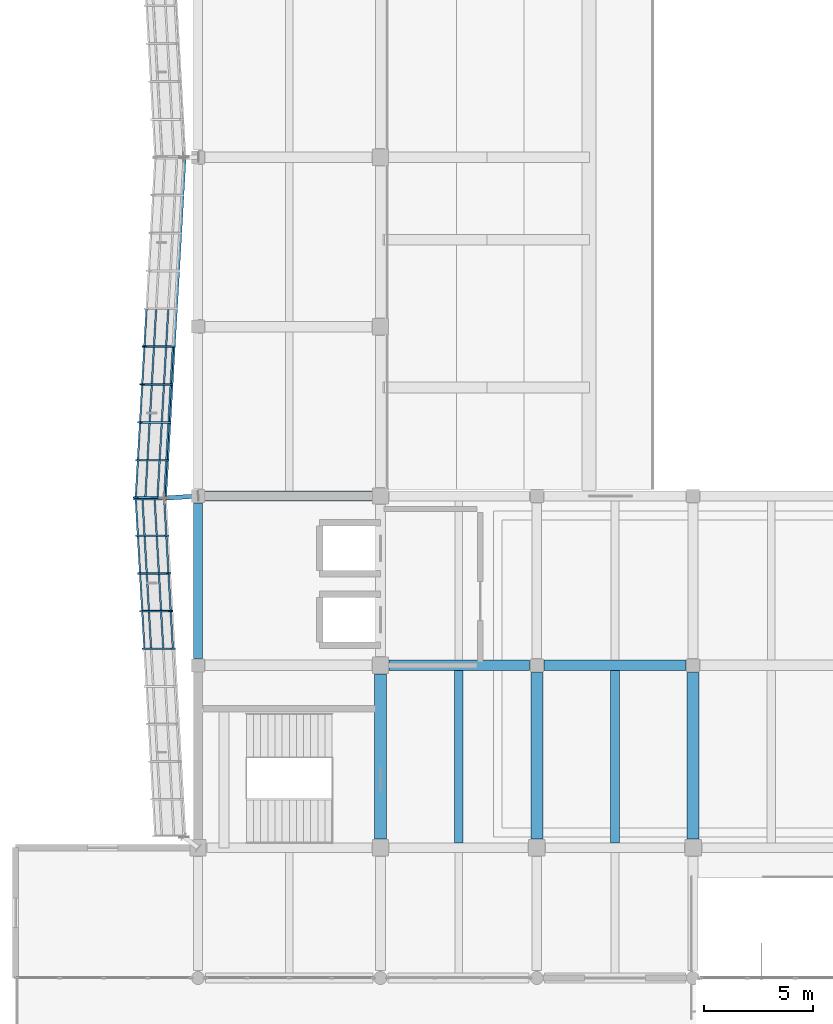
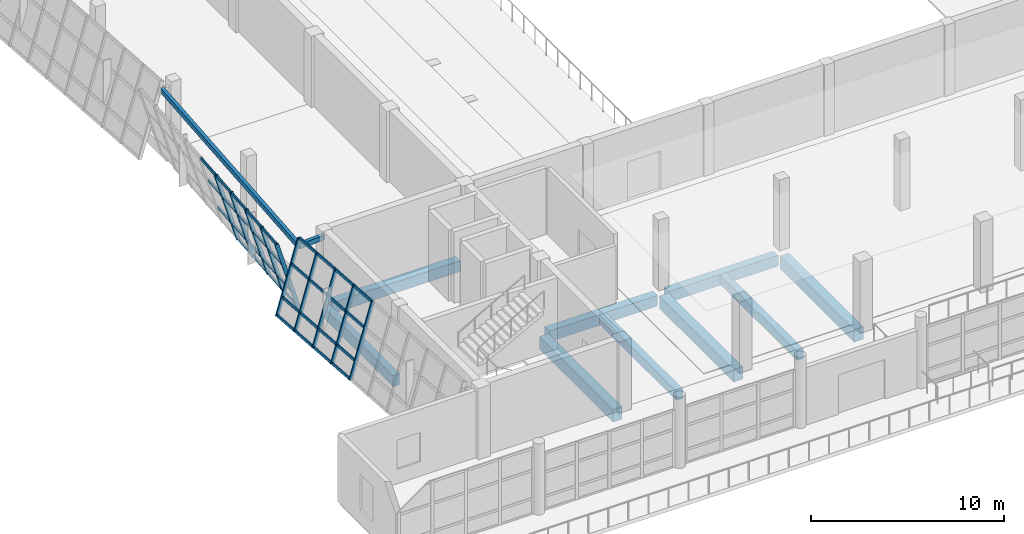
# One storey, part 7 of 71: 45 members, 11 beams, 2 elements without a shape of their own.
"""IFC4 building model written with IfcOpenShell, lengths in metres."""

from ifc_helpers import new_model, si_unit, direction, frame, origin, origin_2d, place, context, subcontext, project, spatial, rectangle, hollow_rectangle, extrude, material, material_profile, profile_set, type_object, element, aggregate, save


model = new_model("IFC4")

# Units and contexts
model_context = context("Model", 3, precision=1e-05, world=origin(), true_north=direction((0.0, 1.0)))
body_context = subcontext(model_context, "Body", "Model", "MODEL_VIEW")
ifc_project = project(units=[si_unit("LENGTHUNIT", "METRE"), si_unit("AREAUNIT", "SQUARE_METRE"), si_unit("VOLUMEUNIT", "CUBIC_METRE"), si_unit("PLANEANGLEUNIT", "RADIAN"), si_unit("MASSUNIT", "GRAM", prefix="KILO")], contexts=[model_context])

# Site, building, storey
site_placement = place(None, origin())
site = spatial("IfcSite", under=ifc_project, at=site_placement, CompositionType="ELEMENT")
building_placement = place(site_placement, origin())
building = spatial("IfcBuilding", under=site, at=building_placement, Name="Pellamere Symphony Hall", CompositionType="ELEMENT")
storey_placement = place(building_placement, frame((0.0, 0.0, 15.0)))
storey = spatial("IfcBuildingStorey", under=building, at=storey_placement, Name="L03", CompositionType="ELEMENT", Elevation=15.0)

# Curtain wall, members
ifc_material_1 = material(Name="Thermally Broken Anodised Aluminium 6063-T6 Curtain Wall", Category="aluminium")
curtain_wall_type = type_object("IfcCurtainWallType", Name="Curtain Wall CW-01 (Tilted Faceted Crystal Low-Iron Curtain Wall)", PredefinedType="NOTDEFINED", material=ifc_material_1)
curtain_wall_1_placement = place(storey_placement, origin())
curtain_wall_1 = element("IfcCurtainWall", 1, at=curtain_wall_1_placement, inside=storey, type_object=curtain_wall_type, Name="Crystal Faceted Curtain Wall CW-CR17 (L03)", PredefinedType="NOTDEFINED")
ifc_material_2 = material(Name="Anodised Architectural Aluminium 6063-T6", Category="aluminium")
ifc_material_profile_1 = material_profile(ifc_material_2, hollow_rectangle(XDim=0.074951171875, YDim=0.219970703125, WallThickness=0.0048828125, at=origin_2d()), Name="ALU-M75X220X5")
ifc_profile_set_1 = profile_set([ifc_material_profile_1], Name="Anodised Architectural Aluminium 6063-T6")
member_type_1 = type_object("IfcMemberType", Name="Curtain Wall Mullion ML-01 ALU-M75X220X5", PredefinedType="MULLION", material=ifc_profile_set_1)
member_1_placement = place(storey_placement, frame((49.25, 53.077880859375, 0.0), z_axis=(-0.284024567884, 0.0, 0.95881700279), x_axis=(-0.054873944304, -0.99836096977, -0.016254976991)))
member_1 = element("IfcMember", 2, at=member_1_placement, type_object=member_type_1, Name="CW1-050 crystal mullion 6", PredefinedType="MULLION", context=body_context, shape_type="SweptSolid", body=[
    extrude(hollow_rectangle(XDim=0.074951171875, YDim=0.219970703125, WallThickness=0.0048828125, at=origin_2d()), origin(), (0.0, 0.0, 1.0), 4.693359375),
])
member_2_placement = place(storey_placement, frame((49.14990234375, 51.333251953125, 0.0), z_axis=(-0.284024567884, 0.0, 0.95881700279), x_axis=(-0.054873944304, -0.99836096977, -0.016254976991)))
member_2 = element("IfcMember", 3, at=member_2_placement, type_object=member_type_1, Name="CW1-050 crystal mullion 7", PredefinedType="MULLION", context=body_context, shape_type="SweptSolid", body=[
    extrude(hollow_rectangle(XDim=0.074951171875, YDim=0.219970703125, WallThickness=0.0048828125, at=origin_2d()), origin(), (0.0, 0.0, 1.0), 4.693359375),
])
member_3_placement = place(storey_placement, frame((49.050048828125, 49.5888671875, 0.0), z_axis=(-0.284024567884, 0.0, 0.95881700279), x_axis=(-0.054873944304, -0.99836096977, -0.016254976991)))
member_3 = element("IfcMember", 4, at=member_3_placement, type_object=member_type_1, Name="CW1-050 crystal mullion 8", PredefinedType="MULLION", context=body_context, shape_type="SweptSolid", body=[
    extrude(hollow_rectangle(XDim=0.074951171875, YDim=0.219970703125, WallThickness=0.0048828125, at=origin_2d()), origin(), (0.0, 0.0, 1.0), 4.693359375),
])
member_4_placement = place(storey_placement, frame((48.949951171875, 47.844482421875, 0.0), z_axis=(-0.284024567884, 0.0, 0.95881700279), x_axis=(-0.054873944304, -0.99836096977, -0.016254976991)))
member_4 = element("IfcMember", 5, at=member_4_placement, type_object=member_type_1, Name="CW1-050 crystal mullion 9", PredefinedType="MULLION", context=body_context, shape_type="SweptSolid", body=[
    extrude(hollow_rectangle(XDim=0.074951171875, YDim=0.219970703125, WallThickness=0.0048828125, at=origin_2d()), origin(), (0.0, 0.0, 1.0), 4.693359375),
])
member_5_placement = place(storey_placement, frame((48.85205078125, 46.137451171875, 0.0), z_axis=(-0.284024567884, 0.0, 0.95881700279), x_axis=(-0.054873944304, -0.99836096977, -0.016254976991)))
member_5 = element("IfcMember", 6, at=member_5_placement, type_object=member_type_1, Name="CW1-050 crystal mullion 10", PredefinedType="MULLION", context=body_context, shape_type="SweptSolid", body=[
    extrude(hollow_rectangle(XDim=0.074951171875, YDim=0.219970703125, WallThickness=0.0048828125, at=origin_2d()), origin(), (0.0, 0.0, 1.0), 4.693359375),
])

curtain_wall_2_placement = place(storey_placement, origin())
curtain_wall_2 = element("IfcCurtainWall", 7, at=curtain_wall_2_placement, inside=storey, type_object=curtain_wall_type, Name="Crystal Faceted Curtain Wall CW-CR18 (L03)", PredefinedType="NOTDEFINED")
member_6_placement = place(storey_placement, frame((47.51904296875, 46.0625, 0.0), z_axis=(0.284024567884, 0.0, 0.95881700279), x_axis=(-0.055224537145, 0.998339941676, 0.01635883099)))
member_6 = element("IfcMember", 8, at=member_6_placement, type_object=member_type_1, Name="CW1-055 crystal mullion 1", PredefinedType="MULLION", context=body_context, shape_type="SweptSolid", body=[
    extrude(hollow_rectangle(XDim=0.074951171875, YDim=0.219970703125, WallThickness=0.0048828125, at=origin_2d()), origin(), (0.0, 0.0, 1.0), 4.693359375),
])
member_7_placement = place(storey_placement, frame((47.616943359375, 44.36669921875, 0.0), z_axis=(0.284024567884, 0.0, 0.95881700279), x_axis=(-0.055224537145, 0.998339941676, 0.01635883099)))
member_7 = element("IfcMember", 9, at=member_7_placement, type_object=member_type_1, Name="CW1-055 crystal mullion 2", PredefinedType="MULLION", context=body_context, shape_type="SweptSolid", body=[
    extrude(hollow_rectangle(XDim=0.074951171875, YDim=0.219970703125, WallThickness=0.0048828125, at=origin_2d()), origin(), (0.0, 0.0, 1.0), 4.693359375),
])
member_8_placement = place(storey_placement, frame((47.717041015625, 42.63330078125, 0.0), z_axis=(0.284024567884, 0.0, 0.95881700279), x_axis=(-0.055224537145, 0.998339941676, 0.01635883099)))
member_8 = element("IfcMember", 10, at=member_8_placement, type_object=member_type_1, Name="CW1-055 crystal mullion 3", PredefinedType="MULLION", context=body_context, shape_type="SweptSolid", body=[
    extrude(hollow_rectangle(XDim=0.074951171875, YDim=0.219970703125, WallThickness=0.0048828125, at=origin_2d()), origin(), (0.0, 0.0, 1.0), 4.693359375),
])
member_9_placement = place(storey_placement, frame((47.81689453125, 40.89990234375, 0.0), z_axis=(0.284024567884, 0.0, 0.95881700279), x_axis=(-0.055224537145, 0.998339941676, 0.01635883099)))
member_9 = element("IfcMember", 11, at=member_9_placement, type_object=member_type_1, Name="CW1-055 crystal mullion 4", PredefinedType="MULLION", context=body_context, shape_type="SweptSolid", body=[
    extrude(hollow_rectangle(XDim=0.074951171875, YDim=0.219970703125, WallThickness=0.0048828125, at=origin_2d()), origin(), (0.0, 0.0, 1.0), 4.693359375),
])
member_10_placement = place(storey_placement, frame((47.9169921875, 39.166748046875, 0.0), z_axis=(0.284024567884, 0.0, 0.95881700279), x_axis=(-0.055224537145, 0.998339941676, 0.01635883099)))
member_10 = element("IfcMember", 12, at=member_10_placement, type_object=member_type_1, Name="CW1-055 crystal mullion 5", PredefinedType="MULLION", context=body_context, shape_type="SweptSolid", body=[
    extrude(hollow_rectangle(XDim=0.074951171875, YDim=0.219970703125, WallThickness=0.0048828125, at=origin_2d()), origin(), (0.0, 0.0, 1.0), 4.693359375),
])

# Member
ifc_material_profile_2 = material_profile(ifc_material_2, hollow_rectangle(XDim=0.074951171875, YDim=0.179931640625, WallThickness=0.0048828125, at=origin_2d()), Name="ALU-T75X180X5")
ifc_profile_set_2 = profile_set([ifc_material_profile_2], Name="Anodised Architectural Aluminium 6063-T6")
member_type_2 = type_object("IfcMemberType", Name="Curtain Wall Transom TR-01 ALU-T75X180X5", PredefinedType="USERDEFINED", material=ifc_profile_set_2)
member_11_placement = place(storey_placement, frame((49.02783203125, 54.78466796875, 1.080078125), z_axis=(-0.057232737422, -0.998360863499, 0.0), x_axis=(0.998360863499, -0.057232737422, 0.0)))
member_11 = element("IfcMember", 13, at=member_11_placement, type_object=member_type_2, Name="CW1-050 crystal transom 5.2", ObjectType="TRANSOM", PredefinedType="USERDEFINED", context=body_context, shape_type="SweptSolid", body=[
    extrude(hollow_rectangle(XDim=0.074951171875, YDim=0.179931640625, WallThickness=0.0048828125, at=origin_2d()), origin(), (0.0, 0.0, 1.0), 1.672119140625),
])

member_12_placement = place(storey_placement, frame((48.468017578125, 54.78466796875, 2.969970703125), z_axis=(-0.057232737422, -0.998360863499, 0.0), x_axis=(0.998360863499, -0.057232737422, 0.0)))
member_12 = element("IfcMember", 14, at=member_12_placement, type_object=member_type_2, Name="CW1-050 crystal transom 5.3", ObjectType="TRANSOM", PredefinedType="USERDEFINED", context=body_context, shape_type="SweptSolid", body=[
    extrude(hollow_rectangle(XDim=0.074951171875, YDim=0.179931640625, WallThickness=0.0048828125, at=origin_2d()), origin(), (0.0, 0.0, 1.0), 1.672119140625),
])

member_13_placement = place(storey_placement, frame((48.025390625, 54.78466796875, 4.464111328125), z_axis=(-0.057232737422, -0.998360863499, 0.0), x_axis=(0.998360863499, -0.057232737422, 0.0)))
member_13 = element("IfcMember", 15, at=member_13_placement, type_object=member_type_2, Name="CW1-050 crystal transom 5.4", ObjectType="TRANSOM", PredefinedType="USERDEFINED", context=body_context, shape_type="SweptSolid", body=[
    extrude(hollow_rectangle(XDim=0.074951171875, YDim=0.179931640625, WallThickness=0.0048828125, at=origin_2d()), origin(), (0.0, 0.0, 1.0), 1.672119140625),
])

member_14_placement = place(storey_placement, frame((49.2373046875, 53.040283203125, 0.035888671875), z_axis=(-0.057232737422, -0.998360863499, 0.0), x_axis=(0.998360863499, -0.057232737422, 0.0)))
member_14 = element("IfcMember", 16, at=member_14_placement, type_object=member_type_2, Name="CW1-050 crystal transom 6.1", ObjectType="TRANSOM", PredefinedType="USERDEFINED", context=body_context, shape_type="SweptSolid", body=[
    extrude(hollow_rectangle(XDim=0.074951171875, YDim=0.179931640625, WallThickness=0.0048828125, at=origin_2d()), origin(), (0.0, 0.0, 1.0), 1.672119140625),
])

member_15_placement = place(storey_placement, frame((48.927978515625, 53.040283203125, 1.080078125), z_axis=(-0.057232737422, -0.998360863499, 0.0), x_axis=(0.998360863499, -0.057232737422, 0.0)))
member_15 = element("IfcMember", 17, at=member_15_placement, type_object=member_type_2, Name="CW1-050 crystal transom 6.2", ObjectType="TRANSOM", PredefinedType="USERDEFINED", context=body_context, shape_type="SweptSolid", body=[
    extrude(hollow_rectangle(XDim=0.074951171875, YDim=0.179931640625, WallThickness=0.0048828125, at=origin_2d()), origin(), (0.0, 0.0, 1.0), 1.672119140625),
])

member_16_placement = place(storey_placement, frame((48.3681640625, 53.040283203125, 2.969970703125), z_axis=(-0.057232737422, -0.998360863499, 0.0), x_axis=(0.998360863499, -0.057232737422, 0.0)))
member_16 = element("IfcMember", 18, at=member_16_placement, type_object=member_type_2, Name="CW1-050 crystal transom 6.3", ObjectType="TRANSOM", PredefinedType="USERDEFINED", context=body_context, shape_type="SweptSolid", body=[
    extrude(hollow_rectangle(XDim=0.074951171875, YDim=0.179931640625, WallThickness=0.0048828125, at=origin_2d()), origin(), (0.0, 0.0, 1.0), 1.672119140625),
])

member_17_placement = place(storey_placement, frame((47.925537109375, 53.040283203125, 4.464111328125), z_axis=(-0.057232737422, -0.998360863499, 0.0), x_axis=(0.998360863499, -0.057232737422, 0.0)))
member_17 = element("IfcMember", 19, at=member_17_placement, type_object=member_type_2, Name="CW1-050 crystal transom 6.4", ObjectType="TRANSOM", PredefinedType="USERDEFINED", context=body_context, shape_type="SweptSolid", body=[
    extrude(hollow_rectangle(XDim=0.074951171875, YDim=0.179931640625, WallThickness=0.0048828125, at=origin_2d()), origin(), (0.0, 0.0, 1.0), 1.672119140625),
])

member_18_placement = place(storey_placement, frame((49.13720703125, 51.2958984375, 0.035888671875), z_axis=(-0.057224396245, -0.998361341637, 0.0), x_axis=(0.998361341637, -0.057224396245, 0.0)))
member_18 = element("IfcMember", 20, at=member_18_placement, type_object=member_type_2, Name="CW1-050 crystal transom 7.1", ObjectType="TRANSOM", PredefinedType="USERDEFINED", context=body_context, shape_type="SweptSolid", body=[
    extrude(hollow_rectangle(XDim=0.074951171875, YDim=0.179931640625, WallThickness=0.0048828125, at=origin_2d()), origin(), (0.0, 0.0, 1.0), 1.67236328125),
])

member_19_placement = place(storey_placement, frame((48.827880859375, 51.2958984375, 1.080078125), z_axis=(-0.057224396245, -0.998361341637, 0.0), x_axis=(0.998361341637, -0.057224396245, 0.0)))
member_19 = element("IfcMember", 21, at=member_19_placement, type_object=member_type_2, Name="CW1-050 crystal transom 7.2", ObjectType="TRANSOM", PredefinedType="USERDEFINED", context=body_context, shape_type="SweptSolid", body=[
    extrude(hollow_rectangle(XDim=0.074951171875, YDim=0.179931640625, WallThickness=0.0048828125, at=origin_2d()), origin(), (0.0, 0.0, 1.0), 1.67236328125),
])

member_20_placement = place(storey_placement, frame((48.26806640625, 51.2958984375, 2.969970703125), z_axis=(-0.057224396245, -0.998361341637, 0.0), x_axis=(0.998361341637, -0.057224396245, 0.0)))
member_20 = element("IfcMember", 22, at=member_20_placement, type_object=member_type_2, Name="CW1-050 crystal transom 7.3", ObjectType="TRANSOM", PredefinedType="USERDEFINED", context=body_context, shape_type="SweptSolid", body=[
    extrude(hollow_rectangle(XDim=0.074951171875, YDim=0.179931640625, WallThickness=0.0048828125, at=origin_2d()), origin(), (0.0, 0.0, 1.0), 1.67236328125),
])

member_21_placement = place(storey_placement, frame((47.825439453125, 51.2958984375, 4.464111328125), z_axis=(-0.057224396245, -0.998361341637, 0.0), x_axis=(0.998361341637, -0.057224396245, 0.0)))
member_21 = element("IfcMember", 23, at=member_21_placement, type_object=member_type_2, Name="CW1-050 crystal transom 7.4", ObjectType="TRANSOM", PredefinedType="USERDEFINED", context=body_context, shape_type="SweptSolid", body=[
    extrude(hollow_rectangle(XDim=0.074951171875, YDim=0.179931640625, WallThickness=0.0048828125, at=origin_2d()), origin(), (0.0, 0.0, 1.0), 1.67236328125),
])

member_22_placement = place(storey_placement, frame((49.037109375, 49.551513671875, 0.035888671875), z_axis=(-0.057224396245, -0.998361341637, 0.0), x_axis=(0.998361341637, -0.057224396245, 0.0)))
member_22 = element("IfcMember", 24, at=member_22_placement, type_object=member_type_2, Name="CW1-050 crystal transom 8.1", ObjectType="TRANSOM", PredefinedType="USERDEFINED", context=body_context, shape_type="SweptSolid", body=[
    extrude(hollow_rectangle(XDim=0.074951171875, YDim=0.179931640625, WallThickness=0.0048828125, at=origin_2d()), origin(), (0.0, 0.0, 1.0), 1.67236328125),
])

member_23_placement = place(storey_placement, frame((48.72802734375, 49.551513671875, 1.080078125), z_axis=(-0.057224396245, -0.998361341637, 0.0), x_axis=(0.998361341637, -0.057224396245, 0.0)))
member_23 = element("IfcMember", 25, at=member_23_placement, type_object=member_type_2, Name="CW1-050 crystal transom 8.2", ObjectType="TRANSOM", PredefinedType="USERDEFINED", context=body_context, shape_type="SweptSolid", body=[
    extrude(hollow_rectangle(XDim=0.074951171875, YDim=0.179931640625, WallThickness=0.0048828125, at=origin_2d()), origin(), (0.0, 0.0, 1.0), 1.67236328125),
])

member_24_placement = place(storey_placement, frame((48.16796875, 49.551513671875, 2.969970703125), z_axis=(-0.057224396245, -0.998361341637, 0.0), x_axis=(0.998361341637, -0.057224396245, 0.0)))
member_24 = element("IfcMember", 26, at=member_24_placement, type_object=member_type_2, Name="CW1-050 crystal transom 8.3", ObjectType="TRANSOM", PredefinedType="USERDEFINED", context=body_context, shape_type="SweptSolid", body=[
    extrude(hollow_rectangle(XDim=0.074951171875, YDim=0.179931640625, WallThickness=0.0048828125, at=origin_2d()), origin(), (0.0, 0.0, 1.0), 1.67236328125),
])

member_25_placement = place(storey_placement, frame((47.7255859375, 49.551513671875, 4.464111328125), z_axis=(-0.057224396245, -0.998361341637, 0.0), x_axis=(0.998361341637, -0.057224396245, 0.0)))
member_25 = element("IfcMember", 27, at=member_25_placement, type_object=member_type_2, Name="CW1-050 crystal transom 8.4", ObjectType="TRANSOM", PredefinedType="USERDEFINED", context=body_context, shape_type="SweptSolid", body=[
    extrude(hollow_rectangle(XDim=0.074951171875, YDim=0.179931640625, WallThickness=0.0048828125, at=origin_2d()), origin(), (0.0, 0.0, 1.0), 1.67236328125),
])

member_26_placement = place(storey_placement, frame((48.937255859375, 47.806884765625, 0.035888671875), z_axis=(-0.057198647566, -0.998362817175, 0.0), x_axis=(0.998362817175, -0.057198647566, 0.0)))
member_26 = element("IfcMember", 28, at=member_26_placement, type_object=member_type_2, Name="CW1-050 crystal transom 9.1", ObjectType="TRANSOM", PredefinedType="USERDEFINED", context=body_context, shape_type="SweptSolid", body=[
    extrude(hollow_rectangle(XDim=0.074951171875, YDim=0.179931640625, WallThickness=0.0048828125, at=origin_2d()), origin(), (0.0, 0.0, 1.0), 1.634765625),
])

member_27_placement = place(storey_placement, frame((48.6279296875, 47.806884765625, 1.080078125), z_axis=(-0.057198647566, -0.998362817175, 0.0), x_axis=(0.998362817175, -0.057198647566, 0.0)))
member_27 = element("IfcMember", 29, at=member_27_placement, type_object=member_type_2, Name="CW1-050 crystal transom 9.2", ObjectType="TRANSOM", PredefinedType="USERDEFINED", context=body_context, shape_type="SweptSolid", body=[
    extrude(hollow_rectangle(XDim=0.074951171875, YDim=0.179931640625, WallThickness=0.0048828125, at=origin_2d()), origin(), (0.0, 0.0, 1.0), 1.634765625),
])

member_28_placement = place(storey_placement, frame((48.068115234375, 47.806884765625, 2.969970703125), z_axis=(-0.057198647566, -0.998362817175, 0.0), x_axis=(0.998362817175, -0.057198647566, 0.0)))
member_28 = element("IfcMember", 30, at=member_28_placement, type_object=member_type_2, Name="CW1-050 crystal transom 9.3", ObjectType="TRANSOM", PredefinedType="USERDEFINED", context=body_context, shape_type="SweptSolid", body=[
    extrude(hollow_rectangle(XDim=0.074951171875, YDim=0.179931640625, WallThickness=0.0048828125, at=origin_2d()), origin(), (0.0, 0.0, 1.0), 1.634765625),
])

member_29_placement = place(storey_placement, frame((47.62548828125, 47.806884765625, 4.464111328125), z_axis=(-0.057198647566, -0.998362817175, 0.0), x_axis=(0.998362817175, -0.057198647566, 0.0)))
member_29 = element("IfcMember", 31, at=member_29_placement, type_object=member_type_2, Name="CW1-050 crystal transom 9.4", ObjectType="TRANSOM", PredefinedType="USERDEFINED", context=body_context, shape_type="SweptSolid", body=[
    extrude(hollow_rectangle(XDim=0.074951171875, YDim=0.179931640625, WallThickness=0.0048828125, at=origin_2d()), origin(), (0.0, 0.0, 1.0), 1.634765625),
])

aggregate(curtain_wall_1, [member_1, member_2, member_3, member_4, member_5, member_11, member_12, member_13, member_14, member_15, member_16, member_17, member_18, member_19, member_20, member_21, member_22, member_23, member_24, member_25, member_26, member_27, member_28, member_29])

member_30_placement = place(storey_placement, frame((47.531982421875, 46.025146484375, 0.035888671875), z_axis=(0.057585007883, -0.99834060664, 0.0), x_axis=(0.99834060664, 0.057585007883, 0.0)))
member_30 = element("IfcMember", 32, at=member_30_placement, type_object=member_type_2, Name="CW1-055 crystal transom 1.1", ObjectType="TRANSOM", PredefinedType="USERDEFINED", context=body_context, shape_type="SweptSolid", body=[
    extrude(hollow_rectangle(XDim=0.074951171875, YDim=0.179931640625, WallThickness=0.0048828125, at=origin_2d()), origin(), (0.0, 0.0, 1.0), 1.623779296875),
])

member_31_placement = place(storey_placement, frame((47.84130859375, 46.025146484375, 1.080078125), z_axis=(0.057585007883, -0.99834060664, 0.0), x_axis=(0.99834060664, 0.057585007883, 0.0)))
member_31 = element("IfcMember", 33, at=member_31_placement, type_object=member_type_2, Name="CW1-055 crystal transom 1.2", ObjectType="TRANSOM", PredefinedType="USERDEFINED", context=body_context, shape_type="SweptSolid", body=[
    extrude(hollow_rectangle(XDim=0.074951171875, YDim=0.179931640625, WallThickness=0.0048828125, at=origin_2d()), origin(), (0.0, 0.0, 1.0), 1.623779296875),
])

member_32_placement = place(storey_placement, frame((48.401123046875, 46.025146484375, 2.969970703125), z_axis=(0.057585007883, -0.99834060664, 0.0), x_axis=(0.99834060664, 0.057585007883, 0.0)))
member_32 = element("IfcMember", 34, at=member_32_placement, type_object=member_type_2, Name="CW1-055 crystal transom 1.3", ObjectType="TRANSOM", PredefinedType="USERDEFINED", context=body_context, shape_type="SweptSolid", body=[
    extrude(hollow_rectangle(XDim=0.074951171875, YDim=0.179931640625, WallThickness=0.0048828125, at=origin_2d()), origin(), (0.0, 0.0, 1.0), 1.623779296875),
])

member_33_placement = place(storey_placement, frame((48.84375, 46.025146484375, 4.464111328125), z_axis=(0.057585007883, -0.99834060664, 0.0), x_axis=(0.99834060664, 0.057585007883, 0.0)))
member_33 = element("IfcMember", 35, at=member_33_placement, type_object=member_type_2, Name="CW1-055 crystal transom 1.4", ObjectType="TRANSOM", PredefinedType="USERDEFINED", context=body_context, shape_type="SweptSolid", body=[
    extrude(hollow_rectangle(XDim=0.074951171875, YDim=0.179931640625, WallThickness=0.0048828125, at=origin_2d()), origin(), (0.0, 0.0, 1.0), 1.623779296875),
])

member_34_placement = place(storey_placement, frame((47.6298828125, 44.329345703125, 0.035888671875), z_axis=(0.057602168051, -0.998339616682, 0.0), x_axis=(0.998339616682, 0.057602168051, 0.0)))
member_34 = element("IfcMember", 36, at=member_34_placement, type_object=member_type_2, Name="CW1-055 crystal transom 2.1", ObjectType="TRANSOM", PredefinedType="USERDEFINED", context=body_context, shape_type="SweptSolid", body=[
    extrude(hollow_rectangle(XDim=0.074951171875, YDim=0.179931640625, WallThickness=0.0048828125, at=origin_2d()), origin(), (0.0, 0.0, 1.0), 1.661376953125),
])

member_35_placement = place(storey_placement, frame((47.93896484375, 44.329345703125, 1.080078125), z_axis=(0.057602168051, -0.998339616682, 0.0), x_axis=(0.998339616682, 0.057602168051, 0.0)))
member_35 = element("IfcMember", 37, at=member_35_placement, type_object=member_type_2, Name="CW1-055 crystal transom 2.2", ObjectType="TRANSOM", PredefinedType="USERDEFINED", context=body_context, shape_type="SweptSolid", body=[
    extrude(hollow_rectangle(XDim=0.074951171875, YDim=0.179931640625, WallThickness=0.0048828125, at=origin_2d()), origin(), (0.0, 0.0, 1.0), 1.661376953125),
])

member_36_placement = place(storey_placement, frame((48.4990234375, 44.329345703125, 2.969970703125), z_axis=(0.057602168051, -0.998339616682, 0.0), x_axis=(0.998339616682, 0.057602168051, 0.0)))
member_36 = element("IfcMember", 38, at=member_36_placement, type_object=member_type_2, Name="CW1-055 crystal transom 2.3", ObjectType="TRANSOM", PredefinedType="USERDEFINED", context=body_context, shape_type="SweptSolid", body=[
    extrude(hollow_rectangle(XDim=0.074951171875, YDim=0.179931640625, WallThickness=0.0048828125, at=origin_2d()), origin(), (0.0, 0.0, 1.0), 1.661376953125),
])

member_37_placement = place(storey_placement, frame((48.94140625, 44.329345703125, 4.464111328125), z_axis=(0.057602168051, -0.998339616682, 0.0), x_axis=(0.998339616682, 0.057602168051, 0.0)))
member_37 = element("IfcMember", 39, at=member_37_placement, type_object=member_type_2, Name="CW1-055 crystal transom 2.4", ObjectType="TRANSOM", PredefinedType="USERDEFINED", context=body_context, shape_type="SweptSolid", body=[
    extrude(hollow_rectangle(XDim=0.074951171875, YDim=0.179931640625, WallThickness=0.0048828125, at=origin_2d()), origin(), (0.0, 0.0, 1.0), 1.661376953125),
])

member_38_placement = place(storey_placement, frame((47.729736328125, 42.595947265625, 0.035888671875), z_axis=(0.057610619545, -0.998339129012, 0.0), x_axis=(0.998339129012, 0.057610619545, 0.0)))
member_38 = element("IfcMember", 40, at=member_38_placement, type_object=member_type_2, Name="CW1-055 crystal transom 3.1", ObjectType="TRANSOM", PredefinedType="USERDEFINED", context=body_context, shape_type="SweptSolid", body=[
    extrude(hollow_rectangle(XDim=0.074951171875, YDim=0.179931640625, WallThickness=0.0048828125, at=origin_2d()), origin(), (0.0, 0.0, 1.0), 1.6611328125),
])

member_39_placement = place(storey_placement, frame((48.0390625, 42.595947265625, 1.080078125), z_axis=(0.057610619545, -0.998339129012, 0.0), x_axis=(0.998339129012, 0.057610619545, 0.0)))
member_39 = element("IfcMember", 41, at=member_39_placement, type_object=member_type_2, Name="CW1-055 crystal transom 3.2", ObjectType="TRANSOM", PredefinedType="USERDEFINED", context=body_context, shape_type="SweptSolid", body=[
    extrude(hollow_rectangle(XDim=0.074951171875, YDim=0.179931640625, WallThickness=0.0048828125, at=origin_2d()), origin(), (0.0, 0.0, 1.0), 1.6611328125),
])

member_40_placement = place(storey_placement, frame((48.598876953125, 42.595947265625, 2.969970703125), z_axis=(0.057610619545, -0.998339129012, 0.0), x_axis=(0.998339129012, 0.057610619545, 0.0)))
member_40 = element("IfcMember", 42, at=member_40_placement, type_object=member_type_2, Name="CW1-055 crystal transom 3.3", ObjectType="TRANSOM", PredefinedType="USERDEFINED", context=body_context, shape_type="SweptSolid", body=[
    extrude(hollow_rectangle(XDim=0.074951171875, YDim=0.179931640625, WallThickness=0.0048828125, at=origin_2d()), origin(), (0.0, 0.0, 1.0), 1.6611328125),
])

member_41_placement = place(storey_placement, frame((49.04150390625, 42.595947265625, 4.464111328125), z_axis=(0.057610619545, -0.998339129012, 0.0), x_axis=(0.998339129012, 0.057610619545, 0.0)))
member_41 = element("IfcMember", 43, at=member_41_placement, type_object=member_type_2, Name="CW1-055 crystal transom 3.4", ObjectType="TRANSOM", PredefinedType="USERDEFINED", context=body_context, shape_type="SweptSolid", body=[
    extrude(hollow_rectangle(XDim=0.074951171875, YDim=0.179931640625, WallThickness=0.0048828125, at=origin_2d()), origin(), (0.0, 0.0, 1.0), 1.6611328125),
])

member_42_placement = place(storey_placement, frame((47.829833984375, 40.862548828125, 0.035888671875), z_axis=(0.057610619545, -0.998339129012, 0.0), x_axis=(0.998339129012, 0.057610619545, 0.0)))
member_42 = element("IfcMember", 44, at=member_42_placement, type_object=member_type_2, Name="CW1-055 crystal transom 4.1", ObjectType="TRANSOM", PredefinedType="USERDEFINED", context=body_context, shape_type="SweptSolid", body=[
    extrude(hollow_rectangle(XDim=0.074951171875, YDim=0.179931640625, WallThickness=0.0048828125, at=origin_2d()), origin(), (0.0, 0.0, 1.0), 1.6611328125),
])

member_43_placement = place(storey_placement, frame((48.13916015625, 40.862548828125, 1.080078125), z_axis=(0.057610619545, -0.998339129012, 0.0), x_axis=(0.998339129012, 0.057610619545, 0.0)))
member_43 = element("IfcMember", 45, at=member_43_placement, type_object=member_type_2, Name="CW1-055 crystal transom 4.2", ObjectType="TRANSOM", PredefinedType="USERDEFINED", context=body_context, shape_type="SweptSolid", body=[
    extrude(hollow_rectangle(XDim=0.074951171875, YDim=0.179931640625, WallThickness=0.0048828125, at=origin_2d()), origin(), (0.0, 0.0, 1.0), 1.6611328125),
])

member_44_placement = place(storey_placement, frame((48.698974609375, 40.862548828125, 2.969970703125), z_axis=(0.057610619545, -0.998339129012, 0.0), x_axis=(0.998339129012, 0.057610619545, 0.0)))
member_44 = element("IfcMember", 46, at=member_44_placement, type_object=member_type_2, Name="CW1-055 crystal transom 4.3", ObjectType="TRANSOM", PredefinedType="USERDEFINED", context=body_context, shape_type="SweptSolid", body=[
    extrude(hollow_rectangle(XDim=0.074951171875, YDim=0.179931640625, WallThickness=0.0048828125, at=origin_2d()), origin(), (0.0, 0.0, 1.0), 1.6611328125),
])

member_45_placement = place(storey_placement, frame((49.1416015625, 40.862548828125, 4.464111328125), z_axis=(0.057610619545, -0.998339129012, 0.0), x_axis=(0.998339129012, 0.057610619545, 0.0)))
member_45 = element("IfcMember", 47, at=member_45_placement, type_object=member_type_2, Name="CW1-055 crystal transom 4.4", ObjectType="TRANSOM", PredefinedType="USERDEFINED", context=body_context, shape_type="SweptSolid", body=[
    extrude(hollow_rectangle(XDim=0.074951171875, YDim=0.179931640625, WallThickness=0.0048828125, at=origin_2d()), origin(), (0.0, 0.0, 1.0), 1.6611328125),
])

aggregate(curtain_wall_2, [member_6, member_7, member_8, member_9, member_10, member_30, member_31, member_32, member_33, member_34, member_35, member_36, member_37, member_38, member_39, member_40, member_41, member_42, member_43, member_44, member_45])

# Beams
ifc_material_3 = material(Name="Concrete 40 MPa", Category="concrete")
ifc_material_profile_3 = material_profile(ifc_material_3, rectangle(XDim=0.550048828125, YDim=0.800048828125, at=origin_2d()), Name="RC 550x800")
ifc_profile_set_3 = profile_set([ifc_material_profile_3], Name="Concrete 40 MPa")
beam_type_1 = type_object("IfcBeamType", Name="RC CB-05 550x800", PredefinedType="BEAM", material=ifc_profile_set_3)
beam_1_placement = place(storey_placement, frame((58.800048828125, 30.39990234375, -0.659912109375), z_axis=(0.0, 1.0, 0.0), x_axis=(-1.0, 0.0, 0.0)))
element("IfcBeam", 48, at=beam_1_placement, inside=storey, type_object=beam_type_1, Name="Girder CB-05-Y1613 (L03)", PredefinedType="BEAM", context=body_context, shape_type="SweptSolid", body=[
    extrude(rectangle(XDim=0.550048828125, YDim=0.800048828125, at=origin_2d()), origin(), (0.0, 0.0, 1.0), 7.60009765625),
])
for number, where, z_axis, x_axis, name in (
    (49, (66.0, 30.39990234375, -0.659912109375), (0.0, 1.0, 0.0), (-1.0, 0.0, 0.0), "Girder CB-05-Y1622 (L03)"),
    (50, (73.199951171875, 30.39990234375, -0.659912109375), (0.0, 1.0, 0.0), (-1.0, 0.0, 0.0), "Girder CB-05-Y1627 (L03)"),
):
    element("IfcBeam", number, at=place(storey_placement, frame(where, z_axis=z_axis, x_axis=x_axis)), inside=storey, type_object=beam_type_1, Name=name, PredefinedType="BEAM", context=body_context, shape_type="SweptSolid", body=[
        extrude(rectangle(XDim=0.550048828125, YDim=0.800048828125, at=origin_2d()), origin(), (0.0, 0.0, 1.0), 7.675048828125),
    ])
ifc_material_profile_4 = material_profile(ifc_material_3, rectangle(XDim=0.39990234375, YDim=0.60009765625, at=origin_2d()), Name="RC 400x600")
ifc_profile_set_4 = profile_set([ifc_material_profile_4], Name="Concrete 40 MPa")
beam_type_2 = type_object("IfcBeamType", Name="RC CB-09 400x600", PredefinedType="BEAM", material=ifc_profile_set_4)
for number, where, z_axis, x_axis, name in (
    (51, (62.39990234375, 30.22509765625, -0.574951171875), (0.0, 1.0, 0.0), (-1.0, 0.0, 0.0), "Secondary Floor Beam CB-09-M0704 (L03)"),
    (52, (69.60009765625, 30.22509765625, -0.574951171875), (0.0, 1.0, 0.0), (-1.0, 0.0, 0.0), "Secondary Floor Beam CB-09-M0804 (L03)"),
):
    element("IfcBeam", number, at=place(storey_placement, frame(where, z_axis=z_axis, x_axis=x_axis)), inside=storey, type_object=beam_type_2, Name=name, PredefinedType="BEAM", context=body_context, shape_type="SweptSolid", body=[
        extrude(rectangle(XDim=0.39990234375, YDim=0.60009765625, at=origin_2d()), origin(), (0.0, 0.0, 1.0), 7.934814453125),
    ])
ifc_material_profile_5 = material_profile(ifc_material_3, rectangle(XDim=0.39990234375, YDim=0.699951171875, at=origin_2d()), Name="RC 400x700")
ifc_profile_set_5 = profile_set([ifc_material_profile_5], Name="Concrete 40 MPa")
beam_type_3 = type_object("IfcBeamType", Name="RC CB-13 400x700", PredefinedType="SPANDREL", material=ifc_profile_set_5)
beam_2_placement = place(storey_placement, frame((50.39990234375, 38.72509765625, -0.610107421875), z_axis=(0.0, 1.0, 0.0), x_axis=(-1.0, 0.0, 0.0)))
element("IfcBeam", 53, at=beam_2_placement, inside=storey, type_object=beam_type_3, Name="Girder CB-13-Y1607 (L03)", PredefinedType="SPANDREL", context=body_context, shape_type="SweptSolid", body=[
    extrude(rectangle(XDim=0.39990234375, YDim=0.699951171875, at=origin_2d()), origin(), (0.0, 0.0, 1.0), 7.14990234375),
])
ifc_material_profile_6 = material_profile(ifc_material_3, rectangle(XDim=0.47998046875, YDim=0.679931640625, at=origin_2d()), Name="RC 480x680")
ifc_profile_set_6 = profile_set([ifc_material_profile_6], Name="Concrete 40 MPa")
beam_type_4 = type_object("IfcBeamType", Name="RC CB-19 480x680", PredefinedType="BEAM", material=ifc_profile_set_6)
beam_3_placement = place(storey_placement, frame((59.199951171875, 38.39990234375, -0.60009765625), z_axis=(1.0, 0.0, 0.0), x_axis=(0.0, 1.0, 0.0)))
element("IfcBeam", 54, at=beam_3_placement, inside=storey, type_object=beam_type_4, Name="Girder CB-19-X1522 (L03)", PredefinedType="BEAM", context=body_context, shape_type="SweptSolid", body=[
    extrude(rectangle(XDim=0.47998046875, YDim=0.679931640625, at=origin_2d()), origin(), (0.0, 0.0, 1.0), 6.47509765625),
])
beam_4_placement = place(storey_placement, frame((66.324951171875, 38.39990234375, -0.60009765625), z_axis=(1.0, 0.0, 0.0), x_axis=(0.0, 1.0, 0.0)))
element("IfcBeam", 55, at=beam_4_placement, inside=storey, type_object=beam_type_4, Name="Girder CB-19-X1523 (L03)", PredefinedType="BEAM", context=body_context, shape_type="SweptSolid", body=[
    extrude(rectangle(XDim=0.47998046875, YDim=0.679931640625, at=origin_2d()), origin(), (0.0, 0.0, 1.0), 6.550048828125),
])
beam_5_placement = place(storey_placement, frame((50.72509765625, 46.199951171875, -0.60009765625), z_axis=(1.0, 0.0, 0.0), x_axis=(0.0, 1.0, 0.0)))
element("IfcBeam", 56, at=beam_5_placement, inside=storey, type_object=beam_type_4, Name="Girder CB-19-X1536 (L03)", PredefinedType="BEAM", context=body_context, shape_type="SweptSolid", body=[
    extrude(rectangle(XDim=0.47998046875, YDim=0.679931640625, at=origin_2d()), origin(), (0.0, 0.0, 1.0), 7.6748046875),
])
ifc_material_4 = material(Name="Steel CSA G40.21 350W", Category="steel")
ifc_material_profile_7 = material_profile(ifc_material_4, hollow_rectangle(XDim=0.203125, YDim=0.3046875, WallThickness=0.0126953125, at=origin_2d()), Name="HSS305X203X13")
ifc_profile_set_7 = profile_set([ifc_material_profile_7], Name="Steel CSA G40.21 350W")
beam_type_5 = type_object("IfcBeamType", Name="Steel Spandrel SB-26 HSS305X203X13", PredefinedType="SPANDREL", material=ifc_profile_set_7)
beam_6_placement = place(storey_placement, frame((49.75, 61.800048828125, 3.93994140625), z_axis=(-0.057224871396, -0.998361314402, 0.0), x_axis=(0.998361314402, -0.057224871396, 0.0)))
element("IfcBeam", 57, at=beam_6_placement, inside=storey, type_object=beam_type_5, Name="Crystal Perimeter Ring Beam CW-CR17 (L03)", PredefinedType="SPANDREL", context=body_context, shape_type="SweptSolid", body=[
    extrude(hollow_rectangle(XDim=0.203125, YDim=0.3046875, WallThickness=0.0126953125, at=origin_2d()), origin(), (0.0, 0.0, 1.0), 15.725830078125),
])
beam_7_placement = place(storey_placement, frame((50.39990234375, 46.199951171875, 3.93994140625), z_axis=(-0.997930844069, -0.064296426469, 0.0), x_axis=(0.064296426469, -0.997930844069, 0.0)))
element("IfcBeam", 58, at=beam_7_placement, inside=storey, type_object=beam_type_5, Name="Crystal Ring Outrigger Bracket 113 (L03)", PredefinedType="SPANDREL", context=body_context, shape_type="SweptSolid", body=[
    extrude(hollow_rectangle(XDim=0.203125, YDim=0.3046875, WallThickness=0.0126953125, at=origin_2d()), origin(), (0.0, 0.0, 1.0), 1.552978515625),
])

save(model, "model.ifc")
